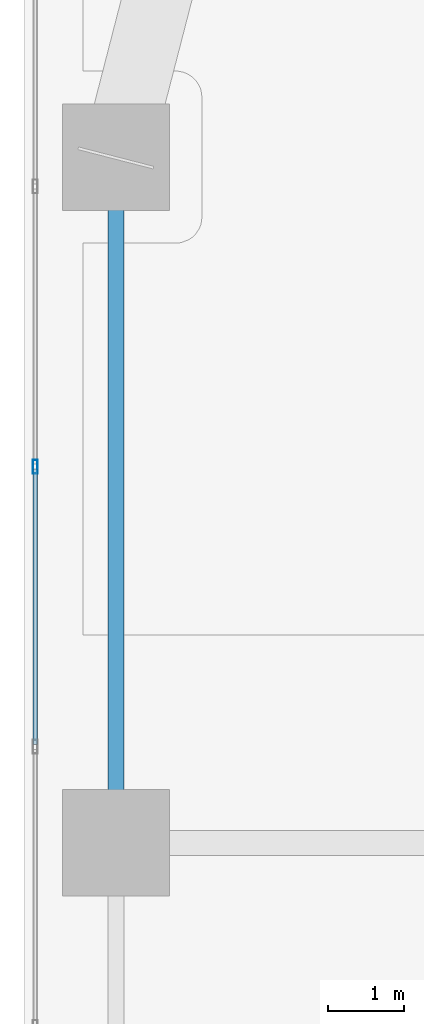
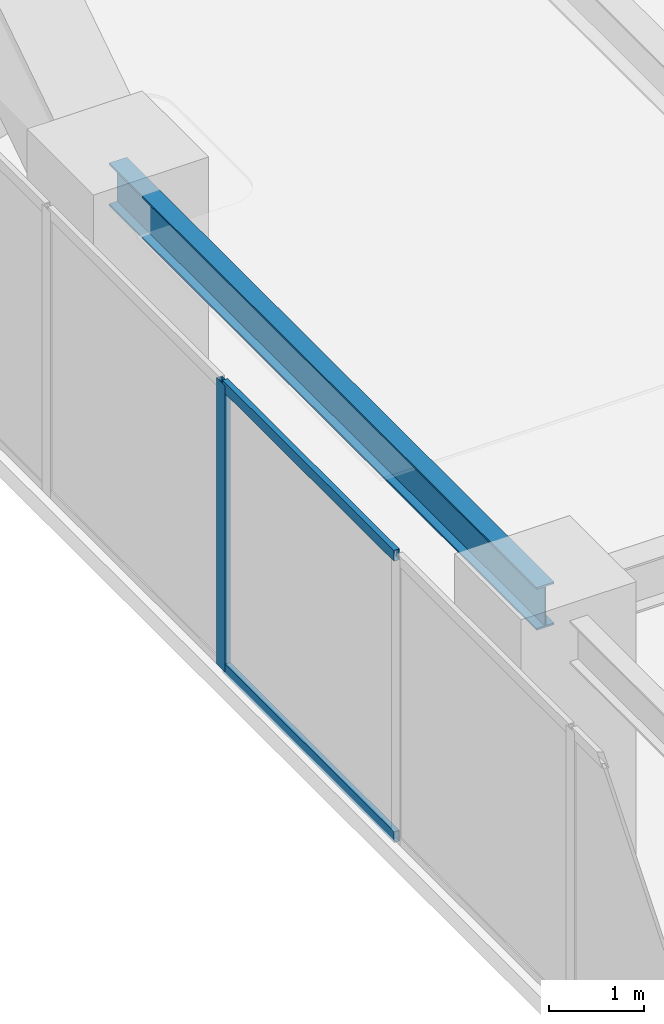
# One storey, part 7 of 31: 3 members, 1 beam, 1 element without a shape of its own.
"""IFC4 building model written with IfcOpenShell, lengths in metres."""

from ifc_helpers import new_model, si_unit, direction, frame, origin, origin_2d, place, context, subcontext, project, spatial, hollow_rectangle, i_section, extrude, material, layer, layer_set, material_profile, profile_set, type_object, element, aggregate, save


model = new_model("IFC4")

# Units and contexts
model_context = context("Model", 3, precision=1e-05, world=origin(), true_north=direction((0.0, 1.0)))
body_context = subcontext(model_context, "Body", "Model", "MODEL_VIEW")
ifc_project = project(units=[si_unit("LENGTHUNIT", "METRE"), si_unit("AREAUNIT", "SQUARE_METRE"), si_unit("VOLUMEUNIT", "CUBIC_METRE"), si_unit("PLANEANGLEUNIT", "RADIAN"), si_unit("MASSUNIT", "GRAM", prefix="KILO")], contexts=[model_context])

# Site, building, storey
site_placement = place(None, origin())
site = spatial("IfcSite", under=ifc_project, at=site_placement, CompositionType="ELEMENT")
building_placement = place(site_placement, origin())
building = spatial("IfcBuilding", under=site, at=building_placement, Name="Kiyonajd Concourse Tower", CompositionType="ELEMENT")
storey_placement = place(building_placement, frame((0.0, 0.0, 158.39990234375)))
storey = spatial("IfcBuildingStorey", under=building, at=storey_placement, Name="L40", CompositionType="ELEMENT", Elevation=158.39990234375)

# Beam
ifc_material_1 = material(Name="Steel ASTM A992 Grade 50", Category="steel")
ifc_material_profile_1 = material_profile(ifc_material_1, i_section(OverallWidth=0.214111328125, OverallDepth=0.549072265625, WebThickness=0.0146484375, FlangeThickness=0.023681640625, at=origin_2d()), Name="W530X138")
ifc_profile_set_1 = profile_set([ifc_material_profile_1], Name="Steel ASTM A992 Grade 50")
beam_type = type_object("IfcBeamType", Name="BM-SPAN-530A", PredefinedType="SPANDREL", material=ifc_profile_set_1)
beam_placement = place(storey_placement, frame((19.199951171875, 53.39990234375, 3.405517578125), z_axis=(0.0, -1.0, 0.0), x_axis=(1.0, 0.0, 0.0)))
element("IfcBeam", 1, at=beam_placement, inside=storey, type_object=beam_type, Name="L40 Perimeter Bundled Tube Spandrel", PredefinedType="SPANDREL", context=body_context, shape_type="SweptSolid", body=[
    extrude(i_section(OverallWidth=0.214111328125, OverallDepth=0.549072265625, WebThickness=0.0146484375, FlangeThickness=0.023681640625, at=origin_2d()), origin(), (0.0, 0.0, 1.0), 9.0),
])

# Curtain wall, members
ifc_material_2 = material(Name="Thermally Broken Anodised Aluminium", Category="aluminium")
ifc_layer = layer(ifc_material_2, 0.179931640625)
ifc_layer_set = layer_set([ifc_layer], Name="Thermally Broken Anodised Aluminium")
curtain_wall_type = type_object("IfcCurtainWallType", Name="CW-SYS-03", PredefinedType="NOTDEFINED", material=ifc_layer_set)
curtain_wall_placement = place(storey_placement, origin())
curtain_wall = element("IfcCurtainWall", 2, at=curtain_wall_placement, inside=storey, type_object=curtain_wall_type, Name="L40 Unitised Curtain Wall CW3", PredefinedType="NOTDEFINED")
ifc_material_profile_2 = material_profile(ifc_material_2, hollow_rectangle(XDim=0.06494140625, YDim=0.179931640625, WallThickness=0.00390625, at=origin_2d()), Name="MULL-65x180")
ifc_profile_set_2 = profile_set([ifc_material_profile_2], Name="Thermally Broken Anodised Aluminium")
member_type_1 = type_object("IfcMemberType", Name="MB-CW-MULL1", PredefinedType="MULLION", material=ifc_profile_set_2)
member_1_placement = place(storey_placement, frame((18.139892578125, 49.337646484375, 0.0), z_axis=(0.0, 0.0, 1.0), x_axis=(-1.0, 0.0, 0.0)))
member_1 = element("IfcMember", 3, at=member_1_placement, type_object=member_type_1, Name="CW3 mullion 5", PredefinedType="MULLION", context=body_context, shape_type="SweptSolid", body=[
    extrude(hollow_rectangle(XDim=0.06494140625, YDim=0.179931640625, WallThickness=0.00390625, at=origin_2d()), origin(), (0.0, 0.0, 1.0), 3.68017578125),
])
ifc_material_profile_3 = material_profile(ifc_material_2, hollow_rectangle(XDim=0.06494140625, YDim=0.139892578125, WallThickness=0.00390625, at=origin_2d()), Name="TRAN-65x140")
ifc_profile_set_3 = profile_set([ifc_material_profile_3], Name="Thermally Broken Anodised Aluminium")
member_type_2 = type_object("IfcMemberType", Name="MB-CW-TRAN1", PredefinedType="USERDEFINED", material=ifc_profile_set_3)
member_2_placement = place(storey_placement, frame((18.139892578125, 45.693359375, 0.03271484375), z_axis=(0.0, 1.0, 0.0), x_axis=(-1.0, 0.0, 0.0)))
member_2 = element("IfcMember", 4, at=member_2_placement, type_object=member_type_2, Name="CW3 transom 4.1", ObjectType="TRANSOM", PredefinedType="USERDEFINED", context=body_context, shape_type="SweptSolid", body=[
    extrude(hollow_rectangle(XDim=0.06494140625, YDim=0.139892578125, WallThickness=0.00390625, at=origin_2d()), origin(), (0.0, 0.0, 1.0), 3.61181640625),
])
member_3_placement = place(storey_placement, frame((18.139892578125, 45.693359375, 3.647705078125), z_axis=(0.0, 1.0, 0.0), x_axis=(-1.0, 0.0, 0.0)))
member_3 = element("IfcMember", 5, at=member_3_placement, type_object=member_type_2, Name="CW3 transom 4.2", ObjectType="TRANSOM", PredefinedType="USERDEFINED", context=body_context, shape_type="SweptSolid", body=[
    extrude(hollow_rectangle(XDim=0.06494140625, YDim=0.139892578125, WallThickness=0.00390625, at=origin_2d()), origin(), (0.0, 0.0, 1.0), 3.61181640625),
])
aggregate(curtain_wall, [member_1, member_2, member_3])

save(model, "model.ifc")
